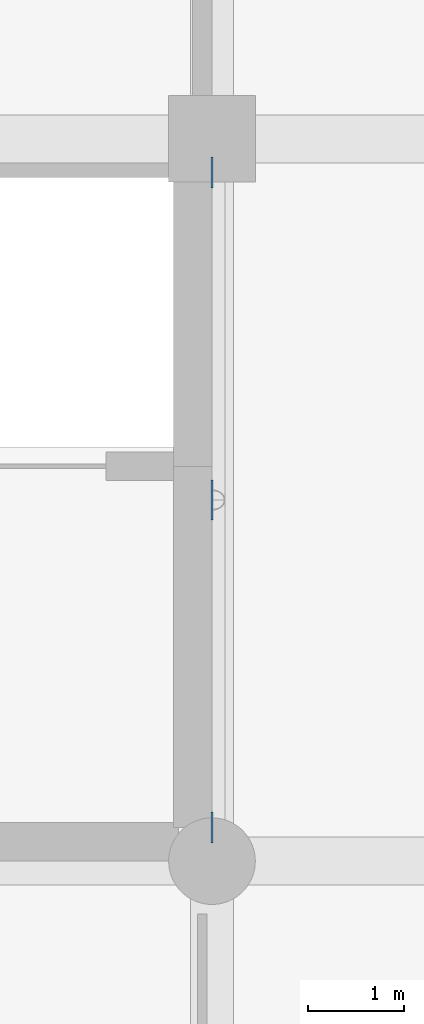
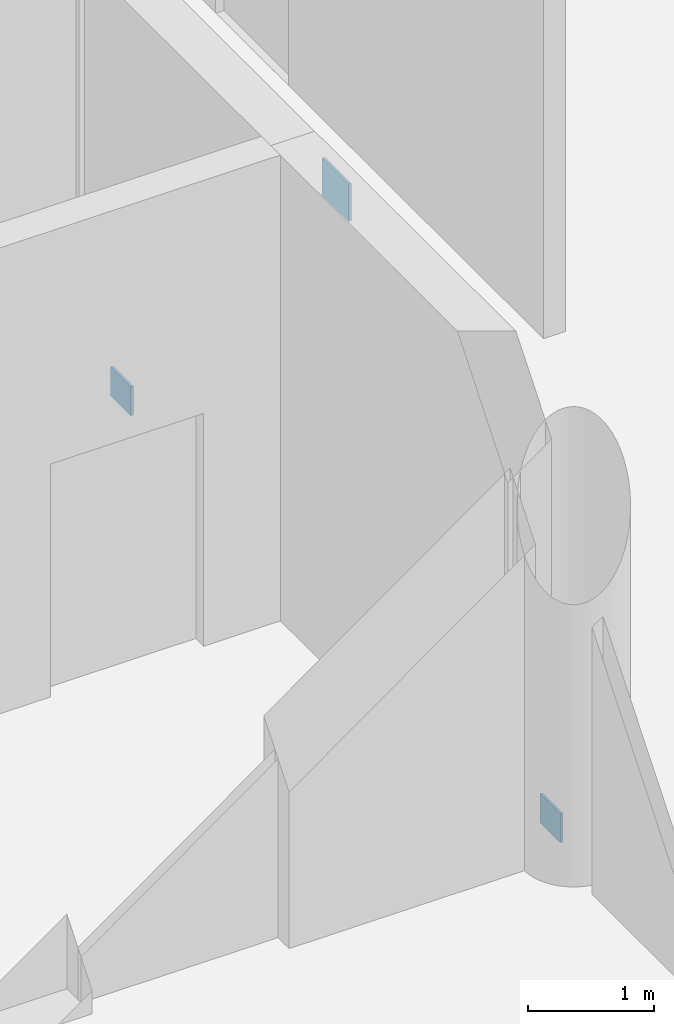
# One storey, part 87 of 125: 3 plates.
"""IFC4 building model written with IfcOpenShell, lengths in metres."""

from ifc_helpers import new_model, si_unit, direction, frame, origin, origin_2d, place, context, subcontext, project, spatial, rectangle, extrude, material, layer, layer_set, type_object, element, save


model = new_model("IFC4")

# Units and contexts
model_context = context("Model", 3, precision=1e-05, world=origin(), true_north=direction((0.0, 1.0)))
body_context = subcontext(model_context, "Body", "Model", "MODEL_VIEW")
ifc_project = project(units=[si_unit("LENGTHUNIT", "METRE"), si_unit("AREAUNIT", "SQUARE_METRE"), si_unit("VOLUMEUNIT", "CUBIC_METRE"), si_unit("PLANEANGLEUNIT", "RADIAN"), si_unit("MASSUNIT", "GRAM", prefix="KILO")], contexts=[model_context])

# Site, building, storey
site_placement = place(None, origin())
site = spatial("IfcSite", under=ifc_project, at=site_placement, CompositionType="ELEMENT")
building_placement = place(site_placement, origin())
building = spatial("IfcBuilding", under=site, at=building_placement, Name="Dalvernix Boulevard General Hospital", CompositionType="ELEMENT")
storey_placement = place(building_placement, origin())
storey = spatial("IfcBuildingStorey", under=building, at=storey_placement, Name="L00", CompositionType="ELEMENT", Elevation=0.0)

# Plates
ifc_material = material(Name="Steel S355", Category="steel")
ifc_layer = layer(ifc_material, 0.02392578125)
ifc_layer_set = layer_set([ifc_layer], Name="Steel S355 (PLT-NP-02)")
plate_type = type_object("IfcPlateType", Name="PLT-NP-02", PredefinedType="SHEET", material=ifc_layer_set)
plate_placement = place(storey_placement, frame((15.0, 11.25, 3.9697265625), z_axis=(0.0, 0.0, 1.0), x_axis=(0.0, 1.0, 0.0)))
element("IfcPlate", 1, at=plate_placement, inside=storey, type_object=plate_type, Name="L00 brace apex gusset plate 1", PredefinedType="SHEET", context=body_context, shape_type="SweptSolid", body=[
    extrude(rectangle(XDim=0.419921875, YDim=0.02392578125, at=origin_2d()), origin(), (0.0, 0.0, 1.0), 0.360107421875),
])
for number, where, z_axis, x_axis, name in (
    (2, (15.0, 7.85009765625, 0.0), (0.0, 0.0, 1.0), (0.0, 1.0, 0.0), "L00 brace base gusset plate 1S"),
    (3, (15.0, 14.64990234375, 0.0), (0.0, 0.0, 1.0), (0.0, 1.0, 0.0), "L00 brace base gusset plate 1N"),
):
    element("IfcPlate", number, at=place(storey_placement, frame(where, z_axis=z_axis, x_axis=x_axis)), inside=storey, type_object=plate_type, Name=name, PredefinedType="SHEET", context=body_context, shape_type="SweptSolid", body=[
        extrude(rectangle(XDim=0.320068359375, YDim=0.02392578125, at=origin_2d()), origin(), (0.0, 0.0, 1.0), 0.280029296875),
    ])

save(model, "model.ifc")
